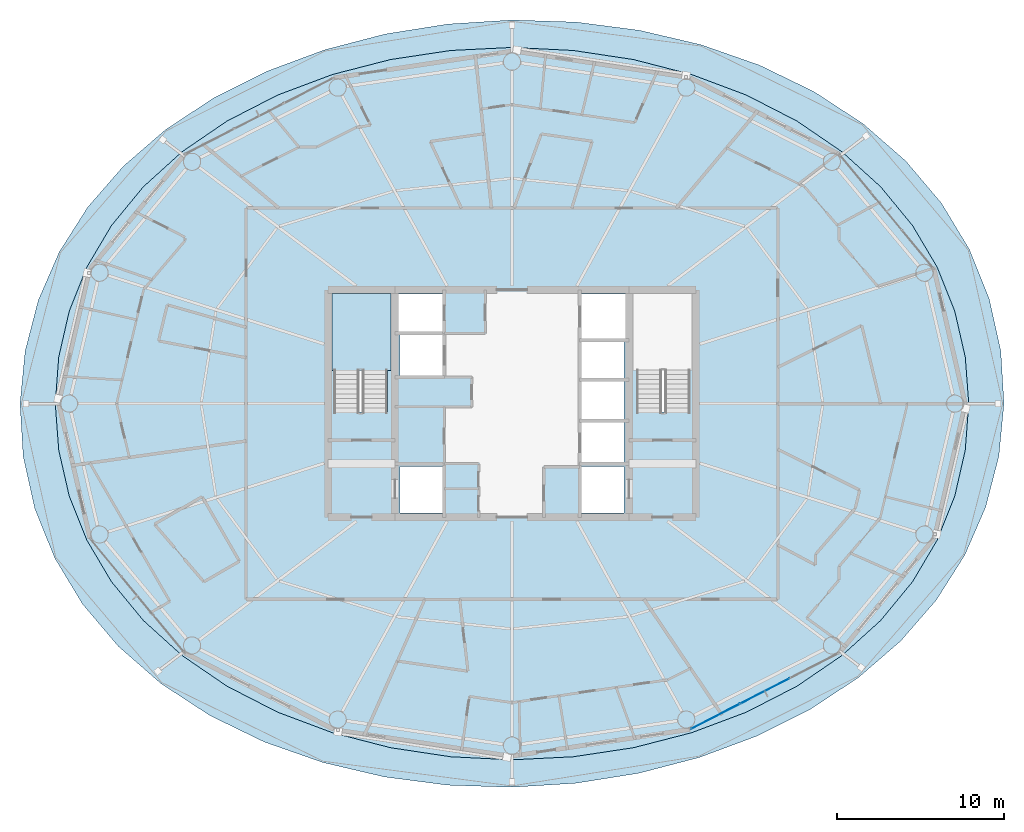
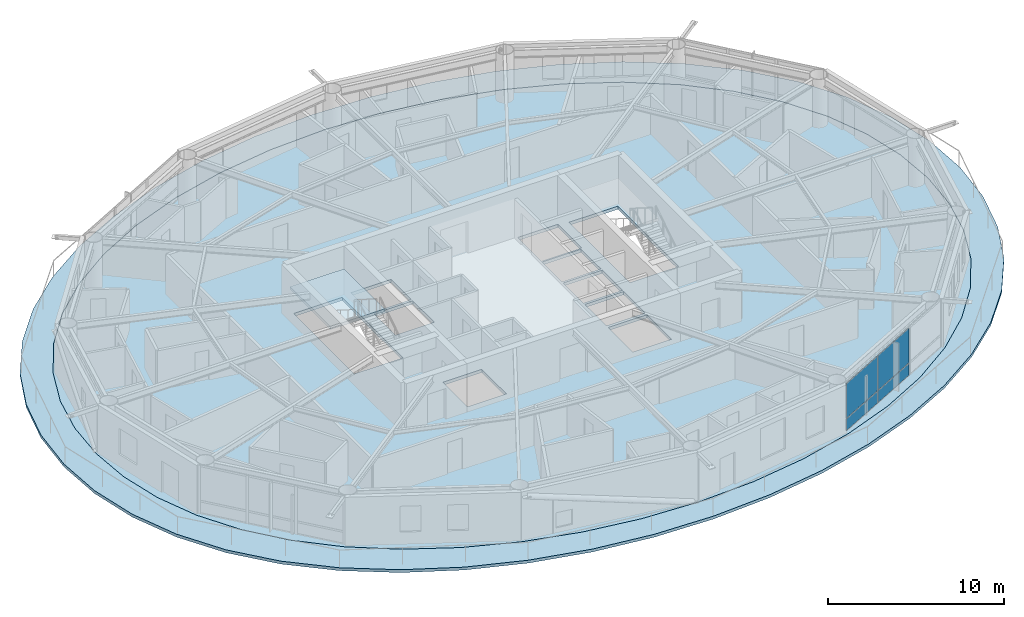
# One storey, part 17 of 28: 4 plates, 3 slabs, 2 elements without a shape of their own.
"""IFC4 building model written with IfcOpenShell, lengths in metres."""

from ifc_helpers import new_model, si_unit, direction, frame, origin, origin_2d, place, context, subcontext, project, spatial, polyline, rectangle, outline, extrude, material, layer, layer_set, type_object, element, aggregate, save


model = new_model("IFC4")

# Units and contexts
model_context = context("Model", 3, precision=1e-05, world=origin(), true_north=direction((0.0, 1.0)))
body_context = subcontext(model_context, "Body", "Model", "MODEL_VIEW")
ifc_project = project(units=[si_unit("LENGTHUNIT", "METRE"), si_unit("AREAUNIT", "SQUARE_METRE"), si_unit("VOLUMEUNIT", "CUBIC_METRE"), si_unit("PLANEANGLEUNIT", "RADIAN"), si_unit("MASSUNIT", "GRAM", prefix="KILO")], contexts=[model_context])

# Site, building, storey
site_placement = place(None, origin())
site = spatial("IfcSite", under=ifc_project, at=site_placement, CompositionType="ELEMENT")
building_placement = place(site_placement, origin())
building = spatial("IfcBuilding", under=site, at=building_placement, Name="Sarneth Arch Tower", CompositionType="ELEMENT")
storey_placement = place(building_placement, frame((0.0, 0.0, 172.199951171875)))
storey = spatial("IfcBuildingStorey", under=building, at=storey_placement, Name="L43", CompositionType="ELEMENT", Elevation=172.199951171875)

# Curtain wall, plates
ifc_material_1 = material(Name="Anodised aluminium Type AA25 and solar-control low-e laminated IGU", Category="aluminium")
ifc_layer_1 = layer(ifc_material_1, 0.169921875)
ifc_layer_set_1 = layer_set([ifc_layer_1], Name="Anodised aluminium Type AA25 and solar-control low-e laminated IGU")
curtain_wall_type = type_object("IfcCurtainWallType", Name="CW-RES-MID", PredefinedType="NOTDEFINED", material=ifc_layer_set_1)
curtain_wall_placement = place(storey_placement, origin())
curtain_wall = element("IfcCurtainWall", 1, at=curtain_wall_placement, inside=storey, type_object=curtain_wall_type, Name="L43 Unitised curtain wall facet 14", PredefinedType="NOTDEFINED")
ifc_material_2 = material(Name="Solar-control low-e laminated IGU", Category="glass")
ifc_layer_2 = layer(ifc_material_2, 0.028076171875)
ifc_layer_set_2 = layer_set([ifc_layer_2], Name="Solar-control low-e laminated IGU")
plate_type = type_object("IfcPlateType", Name="CW-PANEL", PredefinedType="CURTAIN_PANEL", material=ifc_layer_set_2)
plate_1_placement = place(storey_placement, frame((60.16162109375, 23.29296875, 0.06005859375), z_axis=(0.0, 0.0, 1.0), x_axis=(0.88987293003, 0.456208470329, 0.0)))
plate_1 = element("IfcPlate", 2, at=plate_1_placement, type_object=plate_type, Name="Curtain wall glazed vision pane CW-L43-F14/P00-00", PredefinedType="CURTAIN_PANEL", context=body_context, shape_type="SweptSolid", body=[
    extrude(rectangle(XDim=3.248779296875, YDim=0.028076171875, at=origin_2d()), origin(), (0.0, 0.0, 1.0), 0.81005859375),
])
plate_2_placement = place(storey_placement, frame((60.16162109375, 23.29296875, 0.93017578125), z_axis=(0.0, 0.0, 1.0), x_axis=(0.88987293003, 0.456208470329, 0.0)))
plate_2 = element("IfcPlate", 3, at=plate_2_placement, type_object=plate_type, Name="Curtain wall glazed vision pane CW-L43-F14/P00-01", PredefinedType="CURTAIN_PANEL", context=body_context, shape_type="SweptSolid", body=[
    extrude(rectangle(XDim=3.248779296875, YDim=0.028076171875, at=origin_2d()), origin(), (0.0, 0.0, 1.0), 2.389892578125),
])
plate_3_placement = place(storey_placement, frame((63.119384765625, 24.809326171875, 0.06005859375), z_axis=(0.0, 0.0, 1.0), x_axis=(0.88987293003, 0.456208470329, 0.0)))
plate_3 = element("IfcPlate", 4, at=plate_3_placement, type_object=plate_type, Name="Curtain wall glazed vision pane CW-L43-F14/P01-00", PredefinedType="CURTAIN_PANEL", context=body_context, shape_type="SweptSolid", body=[
    extrude(rectangle(XDim=3.27880859375, YDim=0.028076171875, at=origin_2d()), origin(), (0.0, 0.0, 1.0), 0.81005859375),
])
plate_4_placement = place(storey_placement, frame((63.119384765625, 24.809326171875, 0.93017578125), z_axis=(0.0, 0.0, 1.0), x_axis=(0.88987293003, 0.456208470329, 0.0)))
plate_4 = element("IfcPlate", 5, at=plate_4_placement, type_object=plate_type, Name="Curtain wall glazed vision pane CW-L43-F14/P01-01", PredefinedType="CURTAIN_PANEL", context=body_context, shape_type="SweptSolid", body=[
    extrude(rectangle(XDim=3.27880859375, YDim=0.028076171875, at=origin_2d()), origin(), (0.0, 0.0, 1.0), 2.389892578125),
])
aggregate(curtain_wall, [plate_1, plate_2, plate_3, plate_4])

# Slab
ifc_material_3 = material(Name="Concrete C50/60", Category="concrete")
ifc_layer_3 = layer(ifc_material_3, 0.199951171875)
ifc_layer_set_3 = layer_set([ifc_layer_3], Name="Concrete C50/60")
slab_type_1 = type_object("IfcSlabType", Name="SLAB-BALC-200", PredefinedType="FLOOR", material=ifc_layer_set_3)
slab_1_placement = place(storey_placement, frame((0.0, 0.0, -0.199951171875)))
element("IfcSlab", 6, at=slab_1_placement, inside=storey, type_object=slab_type_1, Name="L43 Helical balcony band slab", PredefinedType="FLOOR", context=body_context, shape_type="SweptSolid", body=[
    extrude(outline(polyline([(77.421875, 42.0), (77.2314453125, 45.15966796875), (76.540283203125, 48.259033203125), (75.3525390625, 51.222900390625), (73.681884765625, 53.98876953125), (71.55078125, 56.507080078125), (68.993896484375, 58.73974609375), (66.059326171875, 60.6572265625), (62.8076171875, 62.236572265625), (59.306640625, 63.462158203125), (55.627197265625, 64.323974609375), (51.83740234375, 64.81689453125), (48.0, 64.941162109375), (44.17431640625, 64.70068359375), (40.417724609375, 64.102783203125), (36.7890625, 63.157470703125), (33.34912109375, 61.878173828125), (30.1591796875, 60.27978515625), (27.277587890625, 58.379150390625), (24.75390625, 56.195068359375), (22.627197265625, 53.74951171875), (20.92626953125, 51.0673828125), (19.671875, 48.18212890625), (18.883544921875, 45.13916015625), (18.578125, 42.0), (18.7685546875, 38.84033203125), (19.459716796875, 35.740966796875), (20.6474609375, 32.777099609375), (22.318115234375, 30.01123046875), (24.44921875, 27.492919921875), (27.006103515625, 25.26025390625), (29.940673828125, 23.3427734375), (33.1923828125, 21.763427734375), (36.693359375, 20.537841796875), (40.372802734375, 19.676025390625), (44.16259765625, 19.18310546875), (48.0, 19.058837890625), (51.82568359375, 19.29931640625), (55.582275390625, 19.897216796875), (59.2109375, 20.842529296875), (62.65087890625, 22.121826171875), (65.8408203125, 23.72021484375), (68.722412109375, 25.620849609375), (71.24609375, 27.804931640625), (73.372802734375, 30.25048828125), (75.07373046875, 32.9326171875), (76.328125, 35.81787109375), (77.116455078125, 38.86083984375), (77.421875, 42.0)]), holes=[polyline([(75.313232421875, 42.0), (75.10595703125, 44.7802734375), (74.48095703125, 47.512939453125), (73.431396484375, 50.151123046875), (71.9521484375, 52.64990234375), (70.0458984375, 54.966552734375), (67.730712890625, 57.061279296875), (65.04052734375, 58.8984375), (62.025390625, 60.4462890625), (58.7470703125, 61.6787109375), (55.27197265625, 62.57421875), (51.667724609375, 63.11767578125), (48.0, 63.300048828125), (44.332275390625, 63.11767578125), (40.72802734375, 62.57421875), (37.2529296875, 61.6787109375), (33.974609375, 60.4462890625), (30.95947265625, 58.8984375), (28.269287109375, 57.061279296875), (25.9541015625, 54.966552734375), (24.0478515625, 52.64990234375), (22.568603515625, 50.151123046875), (21.51904296875, 47.512939453125), (20.89404296875, 44.7802734375), (20.686767578125, 42.0), (20.89404296875, 39.2197265625), (21.51904296875, 36.487060546875), (22.568603515625, 33.848876953125), (24.0478515625, 31.35009765625), (25.9541015625, 29.033447265625), (28.269287109375, 26.938720703125), (30.95947265625, 25.1015625), (33.974609375, 23.5537109375), (37.2529296875, 22.3212890625), (40.72802734375, 21.42578125), (44.332275390625, 20.88232421875), (48.0, 20.699951171875), (51.667724609375, 20.88232421875), (55.27197265625, 21.42578125), (58.7470703125, 22.3212890625), (62.025390625, 23.5537109375), (65.04052734375, 25.1015625), (67.730712890625, 26.938720703125), (70.0458984375, 29.033447265625), (71.9521484375, 31.35009765625), (73.431396484375, 33.848876953125), (74.48095703125, 36.487060546875), (75.10595703125, 39.2197265625), (75.313232421875, 42.0)])]), origin(), (0.0, 0.0, 1.0), 0.199951171875),
])

# Stair, slab
ifc_material_4 = material(Name="Concrete C50/60", Category="concrete")
stair_type = type_object("IfcStairType", Name="STAIR-CORE-RC", PredefinedType="HALF_TURN_STAIR", material=ifc_material_4)
stair_placement = place(storey_placement, origin())
stair = element("IfcStair", 7, at=stair_placement, inside=storey, type_object=stair_type, Name="L43 Core Exit Stair 1", PredefinedType="HALF_TURN_STAIR")
ifc_material_5 = material(Name="Concrete C50/60", Category="concrete")
ifc_layer_4 = layer(ifc_material_5, 0.199951171875)
ifc_layer_set_4 = layer_set([ifc_layer_4], Name="Concrete C50/60")
slab_type_2 = type_object("IfcSlabType", Name="SLAB-LANDING-200", PredefinedType="LANDING", material=ifc_layer_set_4)
slab_2_placement = place(storey_placement, frame((0.0, 0.0, 1.60009765625)))
slab_2 = element("IfcSlab", 8, at=slab_2_placement, type_object=slab_type_2, Name="ST-1 landing 1", PredefinedType="LANDING", context=body_context, shape_type="SweptSolid", body=[
    extrude(outline(polyline([(37.22509765625, 43.985107421875), (40.77490234375, 43.985107421875), (40.77490234375, 48.574951171875), (37.22509765625, 48.574951171875), (37.22509765625, 43.985107421875)])), origin(), (0.0, 0.0, 1.0), 0.199951171875),
])
aggregate(stair, [slab_2])

# Slab
ifc_material_6 = material(Name="Concrete C50/60", Category="concrete")
ifc_layer_5 = layer(ifc_material_6, 0.219970703125)
ifc_layer_set_5 = layer_set([ifc_layer_5], Name="Concrete C50/60")
slab_type_3 = type_object("IfcSlabType", Name="SLAB-TOWER-220", PredefinedType="FLOOR", material=ifc_layer_set_5)
slab_3_placement = place(storey_placement, frame((0.0, 0.0, -0.219970703125)))
element("IfcSlab", 9, at=slab_3_placement, inside=storey, type_object=slab_type_3, Name="L43 Elliptical floor slab", PredefinedType="FLOOR", context=body_context, shape_type="SweptSolid", body=[
    extrude(outline(polyline([(75.313232421875, 42.0), (75.10595703125, 44.7802734375), (74.48095703125, 47.512939453125), (73.431396484375, 50.151123046875), (71.9521484375, 52.64990234375), (70.0458984375, 54.966552734375), (67.730712890625, 57.061279296875), (65.04052734375, 58.8984375), (62.025390625, 60.4462890625), (58.7470703125, 61.6787109375), (55.27197265625, 62.57421875), (51.667724609375, 63.11767578125), (48.0, 63.300048828125), (44.332275390625, 63.11767578125), (40.72802734375, 62.57421875), (37.2529296875, 61.6787109375), (33.974609375, 60.4462890625), (30.95947265625, 58.8984375), (28.269287109375, 57.061279296875), (25.9541015625, 54.966552734375), (24.0478515625, 52.64990234375), (22.568603515625, 50.151123046875), (21.51904296875, 47.512939453125), (20.89404296875, 44.7802734375), (20.686767578125, 42.0), (20.89404296875, 39.2197265625), (21.51904296875, 36.487060546875), (22.568603515625, 33.848876953125), (24.0478515625, 31.35009765625), (25.9541015625, 29.033447265625), (28.269287109375, 26.938720703125), (30.95947265625, 25.1015625), (33.974609375, 23.5537109375), (37.2529296875, 22.3212890625), (40.72802734375, 21.42578125), (44.332275390625, 20.88232421875), (48.0, 20.699951171875), (51.667724609375, 20.88232421875), (55.27197265625, 21.42578125), (58.7470703125, 22.3212890625), (62.025390625, 23.5537109375), (65.04052734375, 25.1015625), (67.730712890625, 26.938720703125), (70.0458984375, 29.033447265625), (71.9521484375, 31.35009765625), (73.431396484375, 33.848876953125), (74.48095703125, 36.487060546875), (75.10595703125, 39.2197265625), (75.313232421875, 42.0)]), holes=[polyline([(37.35009765625, 41.489990234375), (40.550048828125, 41.489990234375), (40.550048828125, 48.39990234375), (37.35009765625, 48.39990234375), (37.35009765625, 41.489990234375)]), polyline([(55.449951171875, 41.489990234375), (58.64990234375, 41.489990234375), (58.64990234375, 48.39990234375), (55.449951171875, 48.39990234375), (55.449951171875, 41.489990234375)]), polyline([(41.199951171875, 46.25), (43.85009765625, 46.25), (43.85009765625, 48.550048828125), (41.199951171875, 48.550048828125), (41.199951171875, 46.25)]), polyline([(41.300048828125, 35.449951171875), (43.85009765625, 35.449951171875), (43.85009765625, 38.25), (41.300048828125, 38.25), (41.300048828125, 35.449951171875)]), polyline([(52.14990234375, 35.449951171875), (54.699951171875, 35.449951171875), (54.699951171875, 38.25), (52.14990234375, 38.25), (52.14990234375, 35.449951171875)]), polyline([(52.14990234375, 45.85009765625), (54.800048828125, 45.85009765625), (54.800048828125, 48.550048828125), (52.14990234375, 48.550048828125), (52.14990234375, 45.85009765625)]), polyline([(41.300048828125, 43.64990234375), (43.85009765625, 43.64990234375), (43.85009765625, 46.10009765625), (41.300048828125, 46.10009765625), (41.300048828125, 43.64990234375)]), polyline([(52.14990234375, 38.449951171875), (54.699951171875, 38.449951171875), (54.699951171875, 40.89990234375), (52.14990234375, 40.89990234375), (52.14990234375, 38.449951171875)]), polyline([(52.14990234375, 41.050048828125), (54.699951171875, 41.050048828125), (54.699951171875, 43.35009765625), (52.14990234375, 43.35009765625), (52.14990234375, 41.050048828125)]), polyline([(52.14990234375, 43.5), (54.699951171875, 43.5), (54.699951171875, 45.75), (52.14990234375, 45.75), (52.14990234375, 43.5)])]), origin(), (0.0, 0.0, 1.0), 0.219970703125),
])

save(model, "model.ifc")
